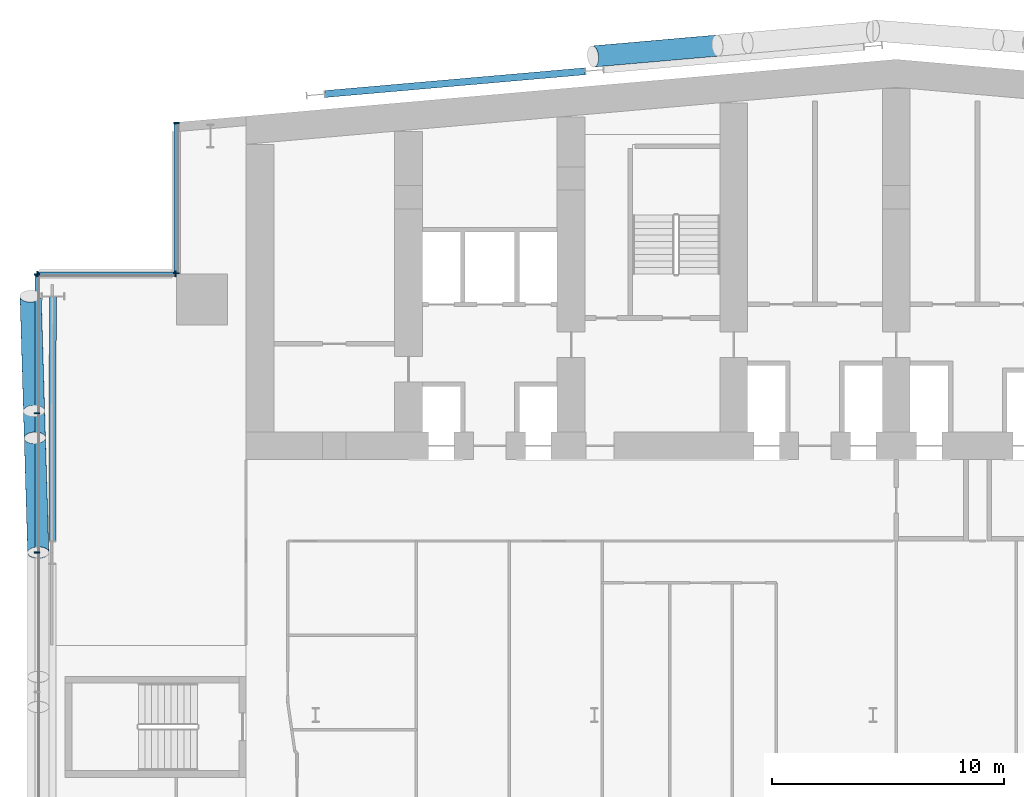
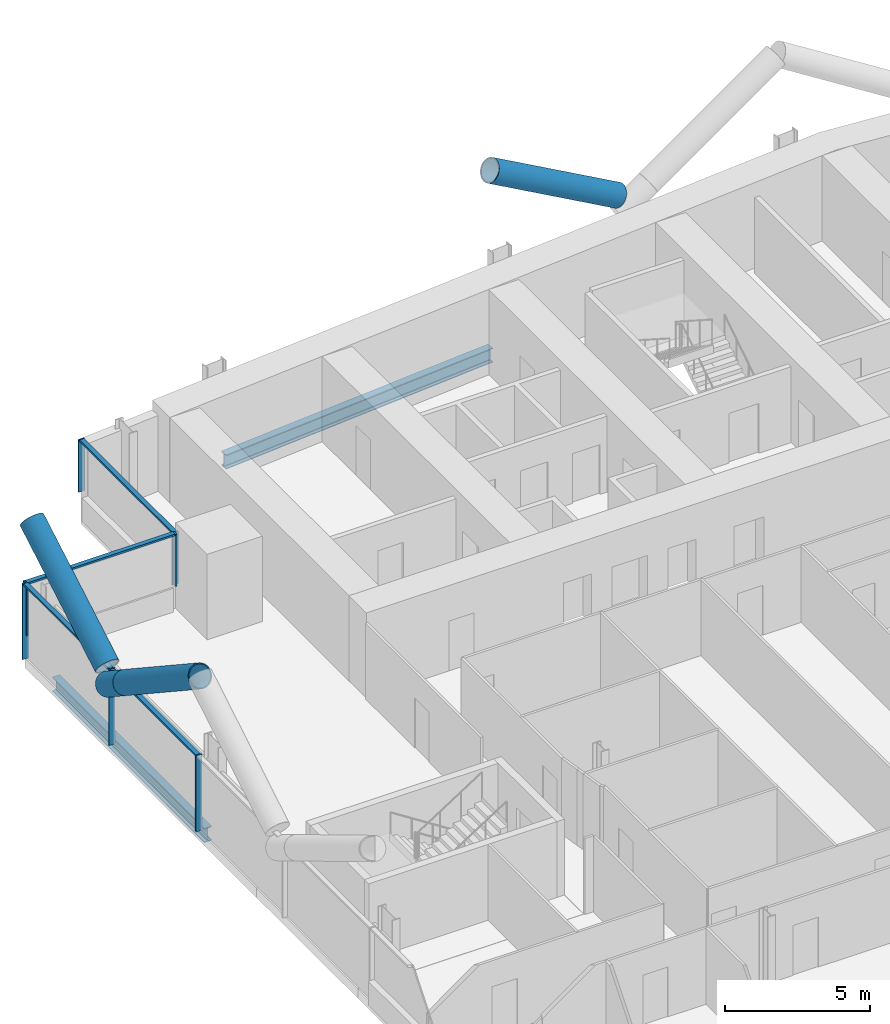
# One storey, part 7 of 27: 15 members, 2 beams, 3 elements without a shape of their own.
"""IFC4 building model written with IfcOpenShell, lengths in metres."""

from ifc_helpers import new_model, si_unit, direction, frame, origin, origin_2d, place, context, subcontext, project, spatial, rectangle, hollow_circle, i_section, extrude, material, material_profile, profile_set, type_object, element, aggregate, save


model = new_model("IFC4")

# Units and contexts
model_context = context("Model", 3, precision=1e-05, world=origin(), true_north=direction((0.0, 1.0)))
body_context = subcontext(model_context, "Body", "Model", "MODEL_VIEW")
ifc_project = project(units=[si_unit("LENGTHUNIT", "METRE"), si_unit("AREAUNIT", "SQUARE_METRE"), si_unit("VOLUMEUNIT", "CUBIC_METRE"), si_unit("PLANEANGLEUNIT", "RADIAN"), si_unit("MASSUNIT", "GRAM", prefix="KILO")], contexts=[model_context])

# Site, building, storey
site_placement = place(None, origin())
site = spatial("IfcSite", under=ifc_project, at=site_placement, CompositionType="ELEMENT")
building_placement = place(site_placement, origin())
building = spatial("IfcBuilding", under=site, at=building_placement, Name="Wharfspan Tower", CompositionType="ELEMENT")
storey_placement = place(building_placement, frame((0.0, 0.0, 48.699951)))
storey = spatial("IfcBuildingStorey", under=building, at=storey_placement, Name="L08", CompositionType="ELEMENT", Elevation=48.699951)

# Member
ifc_material_1 = material(Name="Steel S460NH", Category="steel")
ifc_material_profile_1 = material_profile(ifc_material_1, hollow_circle(Radius=0.457031, WallThickness=0.040039, at=origin_2d()))
ifc_profile_set_1 = profile_set([ifc_material_profile_1], Name="Steel S460NH")
member_type_1 = type_object("IfcMemberType", Name="Brace node tie CHS 914x40", PredefinedType="STRUT", material=ifc_profile_set_1)
member_1_placement = place(storey_placement, frame((-0.126221, 36.092285, 2.524658), z_axis=(0.024874, -0.837192, 0.546343), x_axis=(0.999555, 0.029698, 0.0)))
element("IfcMember", 1, at=member_1_placement, inside=storey, type_object=member_type_1, Name="Brace node tie L08 W4", PredefinedType="STRUT", context=body_context, shape_type="SweptSolid", body=[
    extrude(hollow_circle(Radius=0.457031, WallThickness=0.040039, at=origin_2d()), origin(), (0.0, 0.0, 1.0), 1.374023),
])

# Beams
ifc_material_2 = material(Name="Steel S355J2", Category="steel")
ifc_material_profile_2 = material_profile(ifc_material_2, i_section(OverallWidth=0.300049, OverallDepth=0.600098, WebThickness=0.015381, FlangeThickness=0.030029, FilletRadius=0.0271, at=origin_2d()))
ifc_profile_set_2 = profile_set([ifc_material_profile_2], Name="Steel S355J2")
beam_type = type_object("IfcBeamType", Name="Edge beam HEB 600", PredefinedType="SPANDREL", material=ifc_profile_set_2)
beam_1_placement = place(storey_placement, frame((23.598633, 50.724609, -0.699951), z_axis=(-0.996194, -0.087165, 0.0), x_axis=(0.087165, -0.996194, 0.0)))
element("IfcBeam", 2, at=beam_1_placement, inside=storey, type_object=beam_type, Name="Edge beam N1 L08 R.2 to R.1", PredefinedType="SPANDREL", context=body_context, shape_type="SweptSolid", body=[
    extrude(i_section(OverallWidth=0.300049, OverallDepth=0.600098, WebThickness=0.015381, FlangeThickness=0.030029, FilletRadius=0.0271, at=origin_2d()), origin(), (0.0, 0.0, 1.0), 11.23999),
])
beam_2_placement = place(storey_placement, frame((0.684814, 41.027832, -0.699951), z_axis=(-0.002249, -0.999997, 0.0), x_axis=(0.999997, -0.002249, 0.0)))
element("IfcBeam", 3, at=beam_2_placement, inside=storey, type_object=beam_type, Name="Edge beam W L08 PNRW-H.1 to PW.1", PredefinedType="SPANDREL", context=body_context, shape_type="SweptSolid", body=[
    extrude(i_section(OverallWidth=0.300049, OverallDepth=0.600098, WebThickness=0.015381, FlangeThickness=0.030029, FilletRadius=0.0271, at=origin_2d()), origin(), (0.0, 0.0, 1.0), 10.527832),
])

# Curtain wall, members
ifc_material_3 = material(Name="Aluminium 6063-T6", Category="aluminium")
curtain_wall_type = type_object("IfcCurtainWallType", Name="CURTAIN WALL PROW AND END", PredefinedType="NOTDEFINED", material=ifc_material_3)
curtain_wall_1_placement = place(storey_placement, origin())
curtain_wall_1 = element("IfcCurtainWall", 4, at=curtain_wall_1_placement, inside=storey, type_object=curtain_wall_type, Name="Curtain wall NRW-V", PredefinedType="NOTDEFINED")
ifc_material_profile_3 = material_profile(ifc_material_3, rectangle(XDim=0.23999, YDim=0.060059, at=origin_2d()))
ifc_profile_set_3 = profile_set([ifc_material_profile_3], Name="Aluminium 6063-T6")
member_type_2 = type_object("IfcMemberType", Name="MULLION PROW AND END 60x240", PredefinedType="MULLION", material=ifc_profile_set_3)
member_2_placement = place(storey_placement, frame((6.0, 48.494873, 1.0), z_axis=(0.0, 0.0, 1.0), x_axis=(1.0, 0.0, 0.0)))
member_2 = element("IfcMember", 5, at=member_2_placement, type_object=member_type_2, Name="Curtain wall NRW-V mullion 1", PredefinedType="MULLION", context=body_context, shape_type="SweptSolid", body=[
    extrude(rectangle(XDim=0.23999, YDim=0.060059, at=origin_2d()), origin(), (0.0, 0.0, 1.0), 2.199951),
])
member_3_placement = place(storey_placement, frame((6.0, 42.030029, 1.0), z_axis=(0.0, 0.0, 1.0), x_axis=(1.0, 0.0, 0.0)))
member_3 = element("IfcMember", 6, at=member_3_placement, type_object=member_type_2, Name="Curtain wall NRW-V mullion 2", PredefinedType="MULLION", context=body_context, shape_type="SweptSolid", body=[
    extrude(rectangle(XDim=0.23999, YDim=0.060059, at=origin_2d()), origin(), (0.0, 0.0, 1.0), 2.199951),
])

curtain_wall_2_placement = place(storey_placement, origin())
curtain_wall_2 = element("IfcCurtainWall", 7, at=curtain_wall_2_placement, inside=storey, type_object=curtain_wall_type, Name="Curtain wall NRW-H", PredefinedType="NOTDEFINED")
member_4_placement = place(storey_placement, frame((5.969971, 42.0, 1.0), z_axis=(0.0, 0.0, 1.0), x_axis=(0.0, -1.0, 0.0)))
member_4 = element("IfcMember", 8, at=member_4_placement, type_object=member_type_2, Name="Curtain wall NRW-H mullion 1", PredefinedType="MULLION", context=body_context, shape_type="SweptSolid", body=[
    extrude(rectangle(XDim=0.23999, YDim=0.060059, at=origin_2d()), origin(), (0.0, 0.0, 1.0), 2.199951),
])
member_5_placement = place(storey_placement, frame((0.030029, 42.0, 1.0), z_axis=(0.0, 0.0, 1.0), x_axis=(0.0, -1.0, 0.0)))
member_5 = element("IfcMember", 9, at=member_5_placement, type_object=member_type_2, Name="Curtain wall NRW-H mullion 2", PredefinedType="MULLION", context=body_context, shape_type="SweptSolid", body=[
    extrude(rectangle(XDim=0.23999, YDim=0.060059, at=origin_2d()), origin(), (0.0, 0.0, 1.0), 2.199951),
])

curtain_wall_3_placement = place(storey_placement, origin())
curtain_wall_3 = element("IfcCurtainWall", 10, at=curtain_wall_3_placement, inside=storey, type_object=curtain_wall_type, Name="Curtain wall W", PredefinedType="NOTDEFINED")
member_6_placement = place(storey_placement, frame((0.0, 41.969971, 0.0), z_axis=(0.0, 0.0, 1.0), x_axis=(1.0, 0.0, 0.0)))
member_6 = element("IfcMember", 11, at=member_6_placement, type_object=member_type_2, Name="Curtain wall W mullion 1", PredefinedType="MULLION", context=body_context, shape_type="SweptSolid", body=[
    extrude(rectangle(XDim=0.23999, YDim=0.060059, at=origin_2d()), origin(), (0.0, 0.0, 1.0), 3.199951),
])
member_7_placement = place(storey_placement, frame((0.0, 36.0, 0.0), z_axis=(0.0, 0.0, 1.0), x_axis=(1.0, 0.0, 0.0)))
member_7 = element("IfcMember", 12, at=member_7_placement, type_object=member_type_2, Name="Curtain wall W mullion 2", PredefinedType="MULLION", context=body_context, shape_type="SweptSolid", body=[
    extrude(rectangle(XDim=0.23999, YDim=0.060059, at=origin_2d()), origin(), (0.0, 0.0, 1.0), 3.199951),
])
member_8_placement = place(storey_placement, frame((0.0, 30.0, 0.0), z_axis=(0.0, 0.0, 1.0), x_axis=(1.0, 0.0, 0.0)))
member_8 = element("IfcMember", 13, at=member_8_placement, type_object=member_type_2, Name="Curtain wall W mullion 3", PredefinedType="MULLION", context=body_context, shape_type="SweptSolid", body=[
    extrude(rectangle(XDim=0.23999, YDim=0.060059, at=origin_2d()), origin(), (0.0, 0.0, 1.0), 3.199951),
])

# Members
ifc_material_profile_4 = material_profile(ifc_material_1, hollow_circle(Radius=0.457031, WallThickness=0.040039, at=origin_2d()))
ifc_profile_set_4 = profile_set([ifc_material_profile_4], Name="Steel S460NH")
member_type_3 = type_object("IfcMemberType", Name="Mega brace CHS 914x40", PredefinedType="BRACE", material=ifc_profile_set_4)
for number, where, z_axis, x_axis, name in (
    (14, (-0.091797, 34.933594, 3.280762), (0.0249, -0.837221, 0.546298), (0.999556, 0.02973, 3e-06), "Mega brace W4 L08 part 2"),
    (15, (-0.126465, 36.100586, 3.280762), (-0.0249, 0.837221, 0.546298), (-0.999556, -0.02973, 3e-06), "Mega brace W4 L08 part 4"),
):
    element("IfcMember", number, at=place(storey_placement, frame(where, z_axis=z_axis, x_axis=x_axis)), inside=storey, type_object=member_type_3, Name=name, PredefinedType="BRACE", context=body_context, shape_type="SweptSolid", body=[
        extrude(hollow_circle(Radius=0.457031, WallThickness=0.040039, at=origin_2d()), origin(), (0.0, 0.0, 1.0), 5.892822),
    ])
member_9_placement = place(storey_placement, frame((29.296875, 51.831055, 3.290283), z_axis=(-0.855094, -0.074809, 0.513048), x_axis=(0.087154, -0.996195, 1e-06)))
element("IfcMember", 16, at=member_9_placement, inside=storey, type_object=member_type_3, Name="Mega brace N7 L08 part 4", PredefinedType="BRACE", context=body_context, shape_type="SweptSolid", body=[
    extrude(hollow_circle(Radius=0.457031, WallThickness=0.040039, at=origin_2d()), origin(), (0.0, 0.0, 1.0), 6.256104),
])

# Member
ifc_material_profile_5 = material_profile(ifc_material_3, rectangle(XDim=0.179932, YDim=0.080078, at=origin_2d()))
ifc_profile_set_5 = profile_set([ifc_material_profile_5], Name="Aluminium 6063-T6")
member_type_4 = type_object("IfcMemberType", Name="TRANSOM PROW AND END 80x180", PredefinedType="USERDEFINED", material=ifc_profile_set_5)
member_10_placement = place(storey_placement, frame((6.0, 48.464844, 3.160156), z_axis=(0.0, -1.0, 0.0), x_axis=(1.0, 0.0, 0.0)))
member_10 = element("IfcMember", 17, at=member_10_placement, type_object=member_type_4, Name="Curtain wall NRW-V transom 1", ObjectType="TRANSOM", PredefinedType="USERDEFINED", context=body_context, shape_type="SweptSolid", body=[
    extrude(rectangle(XDim=0.179932, YDim=0.080078, at=origin_2d()), origin(), (0.0, 0.0, 1.0), 6.404785),
])

aggregate(curtain_wall_1, [member_2, member_3, member_10])

member_11_placement = place(storey_placement, frame((5.939941, 42.0, 3.160156), z_axis=(-1.0, 0.0, 0.0), x_axis=(0.0, -1.0, 0.0)))
member_11 = element("IfcMember", 18, at=member_11_placement, type_object=member_type_4, Name="Curtain wall NRW-H transom 1", ObjectType="TRANSOM", PredefinedType="USERDEFINED", context=body_context, shape_type="SweptSolid", body=[
    extrude(rectangle(XDim=0.179932, YDim=0.080078, at=origin_2d()), origin(), (0.0, 0.0, 1.0), 5.879883),
])

aggregate(curtain_wall_2, [member_4, member_5, member_11])

member_12_placement = place(storey_placement, frame((0.0, 41.939941, 3.160156), z_axis=(0.0, -1.0, 0.0), x_axis=(1.0, 0.0, 0.0)))
member_12 = element("IfcMember", 19, at=member_12_placement, type_object=member_type_4, Name="Curtain wall W transom 1", ObjectType="TRANSOM", PredefinedType="USERDEFINED", context=body_context, shape_type="SweptSolid", body=[
    extrude(rectangle(XDim=0.179932, YDim=0.080078, at=origin_2d()), origin(), (0.0, 0.0, 1.0), 5.909912),
])

member_13_placement = place(storey_placement, frame((0.0, 35.969971, 3.160156), z_axis=(0.0, -1.0, 0.0), x_axis=(1.0, 0.0, 0.0)))
member_13 = element("IfcMember", 20, at=member_13_placement, type_object=member_type_4, Name="Curtain wall W transom 2", ObjectType="TRANSOM", PredefinedType="USERDEFINED", context=body_context, shape_type="SweptSolid", body=[
    extrude(rectangle(XDim=0.179932, YDim=0.080078, at=origin_2d()), origin(), (0.0, 0.0, 1.0), 5.939941),
])

aggregate(curtain_wall_3, [member_6, member_7, member_8, member_12, member_13])

save(model, "model.ifc")
